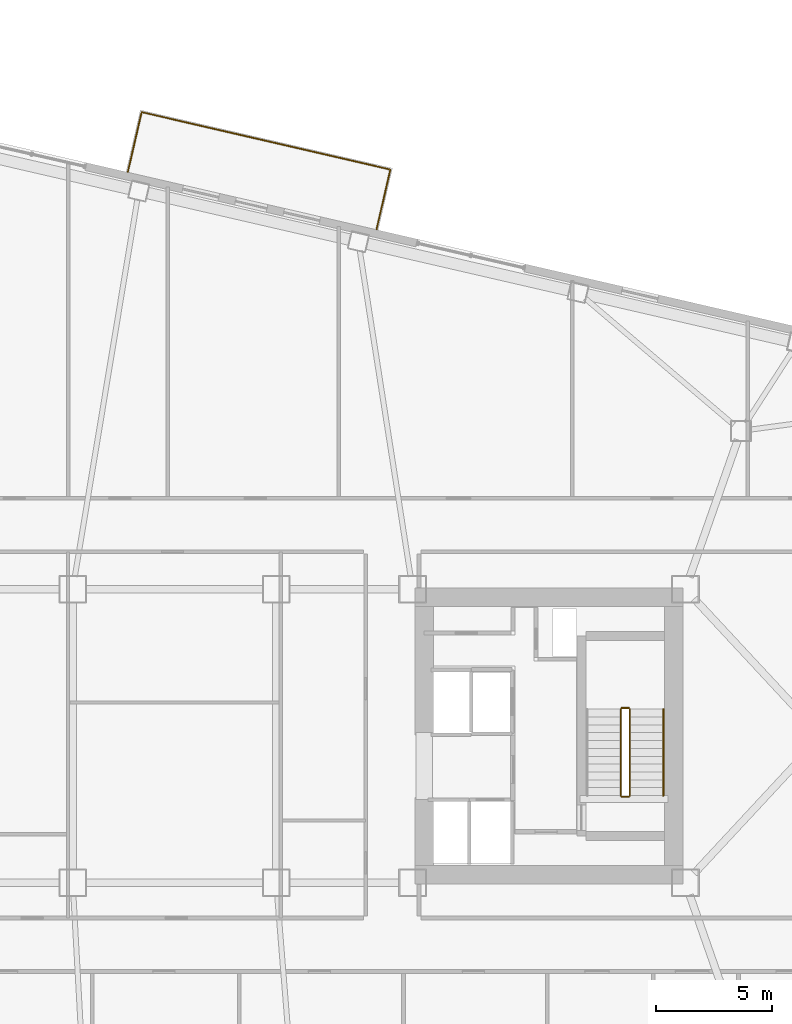
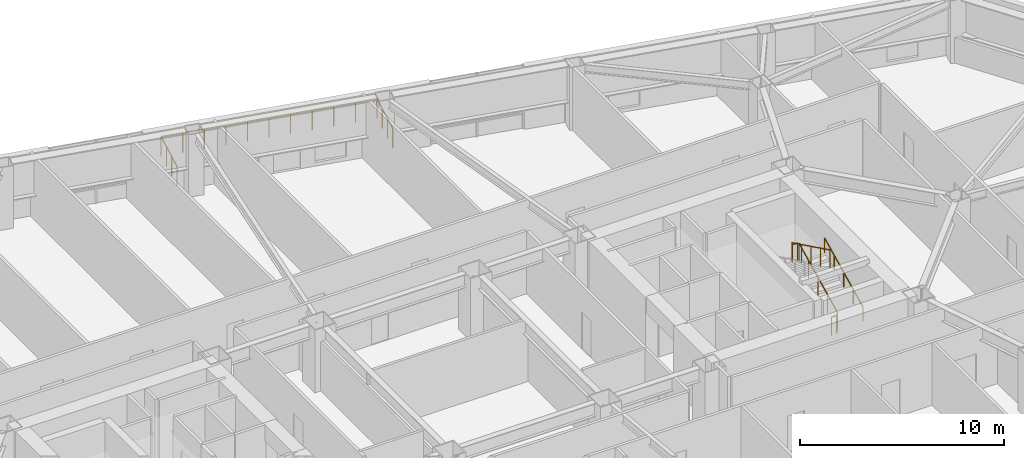
# One storey, part 20 of 20: 6 railings.
"""IFC4 building model written with IfcOpenShell, lengths in metres."""

from ifc_helpers import new_model, si_unit, direction, frame, origin, origin_2d, place, context, subcontext, project, spatial, rectangle, extrude, material, layer, layer_set, type_object, element, save


model = new_model("IFC4")

# Units and contexts
model_context = context("Model", 3, precision=1e-05, world=origin(), true_north=direction((0.0, 1.0)))
body_context = subcontext(model_context, "Body", "Model", "MODEL_VIEW")
ifc_project = project(units=[si_unit("LENGTHUNIT", "METRE"), si_unit("AREAUNIT", "SQUARE_METRE"), si_unit("VOLUMEUNIT", "CUBIC_METRE"), si_unit("PLANEANGLEUNIT", "RADIAN"), si_unit("MASSUNIT", "GRAM", prefix="KILO")], contexts=[model_context])

# Site, building, storey
site_placement = place(None, origin())
site = spatial("IfcSite", under=ifc_project, at=site_placement, CompositionType="ELEMENT")
building_placement = place(site_placement, origin())
building = spatial("IfcBuilding", under=site, at=building_placement, Name="Tavrogorsk Clinical Tower", CompositionType="ELEMENT")
storey_placement = place(building_placement, frame((0.0, 0.0, 39.39990234375)))
storey = spatial("IfcBuildingStorey", under=building, at=storey_placement, Name="L07", CompositionType="ELEMENT", Elevation=39.39990234375)

# Railings
ifc_material_1 = material(Name="Galvanised steel S355 safety stairwell guard", Category="steel")
ifc_layer_1 = layer(ifc_material_1, 0.06005859375)
ifc_layer_set_1 = layer_set([ifc_layer_1], Name="Galvanised steel S355 safety stairwell guard")
railing_type_1 = type_object("IfcRailingType", Name="StairGuard_1150", PredefinedType="GUARDRAIL", material=ifc_layer_set_1)
railing_1_placement = place(storey_placement, frame((19.699951171875, -2.574951171875, 0.166748046875)))
element("IfcRailing", 1, at=railing_1_placement, inside=storey, type_object=railing_type_1, Name="L07 ST-E stair guard 1", PredefinedType="GUARDRAIL", context=body_context, shape_type="SweptSolid", body=[
    extrude(rectangle(XDim=0.048095703125, YDim=0.048095703125, at=origin_2d()), frame((0.0, 0.0, 1.076171875), z_axis=(0.0, 0.897927990467, 0.440142390523), x_axis=(-1.0, 0.0, 0.0)), (0.0, 0.0, 1.0), 4.1650390625),
    extrude(rectangle(XDim=0.0419921875, YDim=0.0419921875, at=origin_2d()), origin(), (0.0, 0.0, 1.0), 1.052001953125),
    extrude(rectangle(XDim=0.0419921875, YDim=0.0419921875, at=origin_2d()), frame((0.0, 0.93505859375, 0.458251953125)), (0.0, 0.0, 1.0), 1.052001953125),
    extrude(rectangle(XDim=0.0419921875, YDim=0.0419921875, at=origin_2d()), frame((0.0, 1.8701171875, 0.91650390625)), (0.0, 0.0, 1.0), 1.052001953125),
    extrude(rectangle(XDim=0.0419921875, YDim=0.0419921875, at=origin_2d()), frame((0.0, 2.804931640625, 1.375)), (0.0, 0.0, 1.0), 1.052001953125),
    extrude(rectangle(XDim=0.0419921875, YDim=0.0419921875, at=origin_2d()), frame((0.0, 3.739990234375, 1.833251953125)), (0.0, 0.0, 1.0), 1.052001953125),
])
railing_2_placement = place(storey_placement, frame((19.64990234375, 1.215087890625, 2.0)))
element("IfcRailing", 2, at=railing_2_placement, inside=storey, type_object=railing_type_1, Name="L07 ST-E stair guard 2", PredefinedType="GUARDRAIL", context=body_context, shape_type="SweptSolid", body=[
    extrude(rectangle(XDim=0.048095703125, YDim=0.048095703125, at=origin_2d()), frame((0.0, 0.0, 1.076171875), z_axis=(-1.0, 0.0, 0.0), x_axis=(0.0, -1.0, 0.0)), (0.0, 0.0, 1.0), 0.2998046875),
    extrude(rectangle(XDim=0.0419921875, YDim=0.0419921875, at=origin_2d()), origin(), (0.0, 0.0, 1.0), 1.052001953125),
    extrude(rectangle(XDim=0.0419921875, YDim=0.0419921875, at=origin_2d()), frame((-0.2998046875, 0.0, 0.0)), (0.0, 0.0, 1.0), 1.052001953125),
])
railing_3_placement = place(storey_placement, frame((19.300048828125, 1.1650390625, 2.166748046875)))
element("IfcRailing", 3, at=railing_3_placement, inside=storey, type_object=railing_type_1, Name="L07 ST-E stair guard 3", PredefinedType="GUARDRAIL", context=body_context, shape_type="SweptSolid", body=[
    extrude(rectangle(XDim=0.048095703125, YDim=0.048095703125, at=origin_2d()), frame((0.0, 0.0, 1.076171875), z_axis=(0.0, -0.897927990467, 0.440142390523), x_axis=(1.0, 0.0, 0.0)), (0.0, 0.0, 1.0), 4.1650390625),
    extrude(rectangle(XDim=0.0419921875, YDim=0.0419921875, at=origin_2d()), origin(), (0.0, 0.0, 1.0), 1.052001953125),
    extrude(rectangle(XDim=0.0419921875, YDim=0.0419921875, at=origin_2d()), frame((0.0, -0.93505859375, 0.458251953125)), (0.0, 0.0, 1.0), 1.052001953125),
    extrude(rectangle(XDim=0.0419921875, YDim=0.0419921875, at=origin_2d()), frame((0.0, -1.8701171875, 0.91650390625)), (0.0, 0.0, 1.0), 1.052001953125),
    extrude(rectangle(XDim=0.0419921875, YDim=0.0419921875, at=origin_2d()), frame((0.0, -2.804931640625, 1.375)), (0.0, 0.0, 1.0), 1.052001953125),
    extrude(rectangle(XDim=0.0419921875, YDim=0.0419921875, at=origin_2d()), frame((0.0, -3.739990234375, 1.833251953125)), (0.0, 0.0, 1.0), 1.052001953125),
])
railing_4_placement = place(storey_placement, frame((19.64990234375, -2.625, 0.0)))
element("IfcRailing", 4, at=railing_4_placement, inside=storey, type_object=railing_type_1, Name="L07 ST-E stair guard 4", PredefinedType="GUARDRAIL", context=body_context, shape_type="SweptSolid", body=[
    extrude(rectangle(XDim=0.048095703125, YDim=0.048095703125, at=origin_2d()), frame((0.0, 0.0, 1.076171875), z_axis=(-1.0, 0.0, 0.0), x_axis=(0.0, -1.0, 0.0)), (0.0, 0.0, 1.0), 0.2998046875),
    extrude(rectangle(XDim=0.0419921875, YDim=0.0419921875, at=origin_2d()), origin(), (0.0, 0.0, 1.0), 1.052001953125),
    extrude(rectangle(XDim=0.0419921875, YDim=0.0419921875, at=origin_2d()), frame((-0.2998046875, 0.0, 0.0)), (0.0, 0.0, 1.0), 1.052001953125),
])
ifc_material_2 = material(Name="Stainless steel AISI 304 tubular handrail", Category="steel")
ifc_layer_2 = layer(ifc_material_2, 0.050048828125)
ifc_layer_set_2 = layer_set([ifc_layer_2], Name="Stainless steel AISI 304 tubular handrail")
railing_type_2 = type_object("IfcRailingType", Name="StairHandrail_920", PredefinedType="HANDRAIL", material=ifc_layer_set_2)
railing_5_placement = place(storey_placement, frame((21.14990234375, -2.574951171875, 0.166748046875)))
element("IfcRailing", 5, at=railing_5_placement, inside=storey, type_object=railing_type_2, Name="L07 ST-E stair handrail 1", PredefinedType="HANDRAIL", context=body_context, shape_type="SweptSolid", body=[
    extrude(rectangle(XDim=0.048095703125, YDim=0.048095703125, at=origin_2d()), frame((0.0, 0.0, 0.8759765625), z_axis=(0.0, 0.897927990467, 0.440142390523), x_axis=(-1.0, 0.0, 0.0)), (0.0, 0.0, 1.0), 4.1650390625),
    extrude(rectangle(XDim=0.0419921875, YDim=0.0419921875, at=origin_2d()), origin(), (0.0, 0.0, 1.0), 0.851806640625),
    extrude(rectangle(XDim=0.0419921875, YDim=0.0419921875, at=origin_2d()), frame((0.0, 0.93505859375, 0.458251953125)), (0.0, 0.0, 1.0), 0.851806640625),
    extrude(rectangle(XDim=0.0419921875, YDim=0.0419921875, at=origin_2d()), frame((0.0, 1.8701171875, 0.91650390625)), (0.0, 0.0, 1.0), 0.851806640625),
    extrude(rectangle(XDim=0.0419921875, YDim=0.0419921875, at=origin_2d()), frame((0.0, 2.804931640625, 1.375)), (0.0, 0.0, 1.0), 0.851806640625),
    extrude(rectangle(XDim=0.0419921875, YDim=0.0419921875, at=origin_2d()), frame((0.0, 3.739990234375, 1.833251953125)), (0.0, 0.0, 1.0), 0.851806640625),
])
ifc_material_3 = material(Name="Stainless steel AISI 316 and laminated glass balustrade", Category="steel")
ifc_layer_3 = layer(ifc_material_3, 0.090087890625)
ifc_layer_set_3 = layer_set([ifc_layer_3], Name="Stainless steel AISI 316 and laminated glass balustrade")
railing_type_3 = type_object("IfcRailingType", Name="TerraceGuardRailing_1200", PredefinedType="BALUSTRADE", material=ifc_layer_set_3)
railing_6_placement = place(storey_placement, frame((-2.015380859375, 24.405029296875, 0.0)))
element("IfcRailing", 6, at=railing_6_placement, inside=storey, type_object=railing_type_3, Name="L07 Spiralling Terrace Balustrade GD-01", PredefinedType="BALUSTRADE", context=body_context, shape_type="SweptSolid", body=[
    extrude(rectangle(XDim=0.048095703125, YDim=0.048095703125, at=origin_2d()), frame((0.0, 0.0, 1.17578125), z_axis=(0.224980619228, 0.974363238721, 0.0), x_axis=(-0.974363238721, 0.224980619228, 0.0)), (0.0, 0.0, 1.0), 2.64990234375),
    extrude(rectangle(XDim=0.048095703125, YDim=0.048095703125, at=origin_2d()), frame((0.59619140625, 2.58203125, 1.17578125), z_axis=(0.974371438286, -0.224945104974, 0.0), x_axis=(0.224945104974, 0.974371438286, 0.0)), (0.0, 0.0, 1.0), 11.0400390625),
    extrude(rectangle(XDim=0.048095703125, YDim=0.048095703125, at=origin_2d()), frame((11.353271484375, 0.0986328125, 1.17578125), z_axis=(-0.224980619228, -0.974363238721, 0.0), x_axis=(0.974363238721, -0.224980619228, 0.0)), (0.0, 0.0, 1.0), 2.64990234375),
    extrude(rectangle(XDim=0.0419921875, YDim=0.0419921875, at=origin_2d()), origin(), (0.0, 0.0, 1.0), 1.15185546875),
    extrude(rectangle(XDim=0.0419921875, YDim=0.0419921875, at=origin_2d()), frame((0.19873046875, 0.860595703125, 0.0)), (0.0, 0.0, 1.0), 1.15185546875),
    extrude(rectangle(XDim=0.0419921875, YDim=0.0419921875, at=origin_2d()), frame((0.3974609375, 1.721435546875, 0.0)), (0.0, 0.0, 1.0), 1.15185546875),
    extrude(rectangle(XDim=0.0419921875, YDim=0.0419921875, at=origin_2d()), frame((0.59619140625, 2.58203125, 0.0)), (0.0, 0.0, 1.0), 1.15185546875),
    extrude(rectangle(XDim=0.0419921875, YDim=0.0419921875, at=origin_2d()), frame((1.671875, 2.333740234375, 0.0)), (0.0, 0.0, 1.0), 1.15185546875),
    extrude(rectangle(XDim=0.0419921875, YDim=0.0419921875, at=origin_2d()), frame((2.74755859375, 2.08544921875, 0.0)), (0.0, 0.0, 1.0), 1.15185546875),
    extrude(rectangle(XDim=0.0419921875, YDim=0.0419921875, at=origin_2d()), frame((3.8232421875, 1.8369140625, 0.0)), (0.0, 0.0, 1.0), 1.15185546875),
    extrude(rectangle(XDim=0.0419921875, YDim=0.0419921875, at=origin_2d()), frame((4.89892578125, 1.588623046875, 0.0)), (0.0, 0.0, 1.0), 1.15185546875),
    extrude(rectangle(XDim=0.0419921875, YDim=0.0419921875, at=origin_2d()), frame((5.974609375, 1.34033203125, 0.0)), (0.0, 0.0, 1.0), 1.15185546875),
    extrude(rectangle(XDim=0.0419921875, YDim=0.0419921875, at=origin_2d()), frame((7.050537109375, 1.092041015625, 0.0)), (0.0, 0.0, 1.0), 1.15185546875),
    extrude(rectangle(XDim=0.0419921875, YDim=0.0419921875, at=origin_2d()), frame((8.126220703125, 0.84375, 0.0)), (0.0, 0.0, 1.0), 1.15185546875),
    extrude(rectangle(XDim=0.0419921875, YDim=0.0419921875, at=origin_2d()), frame((9.201904296875, 0.59521484375, 0.0)), (0.0, 0.0, 1.0), 1.15185546875),
    extrude(rectangle(XDim=0.0419921875, YDim=0.0419921875, at=origin_2d()), frame((10.277587890625, 0.346923828125, 0.0)), (0.0, 0.0, 1.0), 1.15185546875),
    extrude(rectangle(XDim=0.0419921875, YDim=0.0419921875, at=origin_2d()), frame((11.353271484375, 0.0986328125, 0.0)), (0.0, 0.0, 1.0), 1.15185546875),
    extrude(rectangle(XDim=0.0419921875, YDim=0.0419921875, at=origin_2d()), frame((11.154541015625, -0.761962890625, 0.0)), (0.0, 0.0, 1.0), 1.15185546875),
    extrude(rectangle(XDim=0.0419921875, YDim=0.0419921875, at=origin_2d()), frame((10.955810546875, -1.622802734375, 0.0)), (0.0, 0.0, 1.0), 1.15185546875),
    extrude(rectangle(XDim=0.0419921875, YDim=0.0419921875, at=origin_2d()), frame((10.757080078125, -2.4833984375, 0.0)), (0.0, 0.0, 1.0), 1.15185546875),
])

save(model, "model.ifc")
